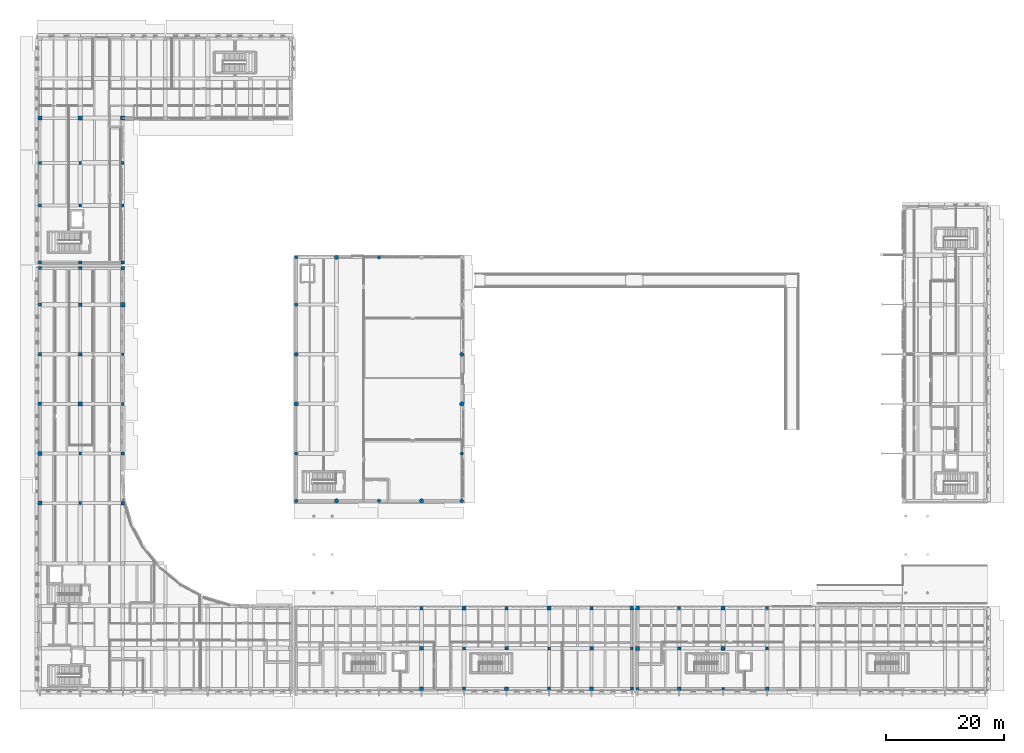
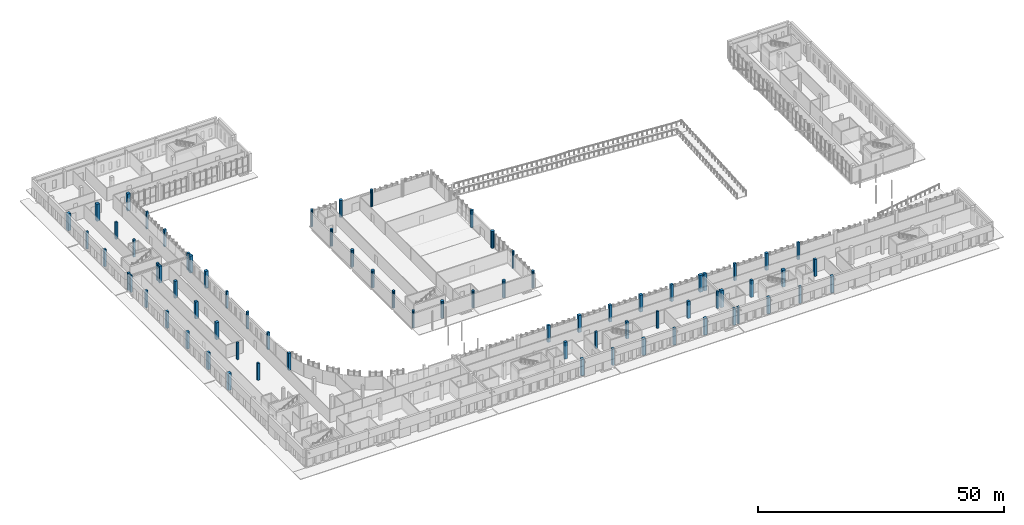
# One storey, part 3 of 77: 75 columns.
"""IFC4 building model written with IfcOpenShell, lengths in metres."""

from ifc_helpers import new_model, si_unit, direction, frame, origin, origin_2d, place, context, subcontext, project, spatial, rectangle, circle, extrude, material, material_profile, profile_set, type_object, element, save


model = new_model("IFC4")

# Units and contexts
model_context = context("Model", 3, precision=1e-05, world=origin(), true_north=direction((0.0, 1.0)))
body_context = subcontext(model_context, "Body", "Model", "MODEL_VIEW")
ifc_project = project(units=[si_unit("LENGTHUNIT", "METRE"), si_unit("AREAUNIT", "SQUARE_METRE"), si_unit("VOLUMEUNIT", "CUBIC_METRE"), si_unit("PLANEANGLEUNIT", "RADIAN"), si_unit("MASSUNIT", "GRAM", prefix="KILO")], contexts=[model_context])

# Site, building, storey
site_placement = place(None, origin())
site = spatial("IfcSite", under=ifc_project, at=site_placement, CompositionType="ELEMENT")
building_placement = place(site_placement, origin())
building = spatial("IfcBuilding", under=site, at=building_placement, Name="Vardoun Plaza Health Centre", CompositionType="ELEMENT")
storey_placement = place(building_placement, origin())
storey = spatial("IfcBuildingStorey", under=building, at=storey_placement, Name="L00", CompositionType="ELEMENT", Elevation=0.0)

# Columns
ifc_material_1 = material(Name="Concrete C40/50", Category="concrete")
ifc_material_profile_1 = material_profile(ifc_material_1, rectangle(XDim=0.449951171875, YDim=0.449951171875, at=origin_2d()), Name="RC-COL 450x450")
ifc_profile_set_1 = profile_set([ifc_material_profile_1], Name="Concrete C40/50")
column_type_1 = type_object("IfcColumnType", Name="C-07", PredefinedType="COLUMN", material=ifc_profile_set_1)
for number, where, z_axis, x_axis, name in (
    (1, (4.8798828125, 76.1201171875, 0.0), (0.0, 0.0, 1.0), (1.0, 0.0, 0.0), "V2 L00 Column C-V2-10"),
    (2, (11.699951171875, 44.699951171875, 0.0), (0.0, 0.0, 1.0), (1.0, 0.0, 0.0), "V2 L00 Column C-V2-16"),
    (3, (18.89990234375, 61.5, 0.0), (0.0, 0.0, 1.0), (1.0, 0.0, 0.0), "V2 L00 Column C-V2-28"),
):
    element("IfcColumn", number, at=place(storey_placement, frame(where, z_axis=z_axis, x_axis=x_axis)), inside=storey, type_object=column_type_1, Name=name, PredefinedType="COLUMN", context=body_context, shape_type="SweptSolid", body=[
        extrude(rectangle(XDim=0.449951171875, YDim=0.449951171875, at=origin_2d()), origin(), (0.0, 0.0, 1.0), 4.219970703125),
    ])
for number, where, z_axis, x_axis, name in (
    (4, (4.8798828125, 93.900146484375, 0.0), (0.0, 0.0, 1.0), (1.0, 0.0, 0.0), "V3 L00 Column C-V3-03"),
    (5, (11.699951171875, 93.900146484375, 0.0), (0.0, 0.0, 1.0), (1.0, 0.0, 0.0), "V3 L00 Column C-V3-09"),
    (6, (18.89990234375, 93.900146484375, 0.0), (0.0, 0.0, 1.0), (1.0, 0.0, 0.0), "V3 L00 Column C-V3-15"),
):
    element("IfcColumn", number, at=place(storey_placement, frame(where, z_axis=z_axis, x_axis=x_axis)), inside=storey, type_object=column_type_1, Name=name, PredefinedType="COLUMN", context=body_context, shape_type="SweptSolid", body=[
        extrude(rectangle(XDim=0.449951171875, YDim=0.449951171875, at=origin_2d()), origin(), (0.0, 0.0, 1.0), 4.235107421875),
    ])
for number, where, z_axis, x_axis, name in (
    (7, (76.679931640625, 11.699951171875, 0.0), (0.0, 0.0, 1.0), (1.0, 0.0, 0.0), "V4 L00 Column C-V4-14"),
    (8, (91.080078125, 11.699951171875, 0.0), (0.0, 0.0, 1.0), (1.0, 0.0, 0.0), "V4 L00 Column C-V4-20"),
    (9, (105.10009765625, 11.699951171875, 0.0), (0.0, 0.0, 1.0), (1.0, 0.0, 0.0), "V4 L00 Column C-V4-26"),
):
    element("IfcColumn", number, at=place(storey_placement, frame(where, z_axis=z_axis, x_axis=x_axis)), inside=storey, type_object=column_type_1, Name=name, PredefinedType="COLUMN", context=body_context, shape_type="SweptSolid", body=[
        extrude(rectangle(XDim=0.449951171875, YDim=0.449951171875, at=origin_2d()), origin(), (0.0, 0.0, 1.0), 4.18505859375),
    ])
for number, where, z_axis, x_axis, name in (
    (10, (106.0400390625, 4.8798828125, 0.0), (0.0, 0.0, 1.0), (1.0, 0.0, 0.0), "V5 L00 Column C-V5-01"),
    (11, (120.5400390625, 4.8798828125, 0.0), (0.0, 0.0, 1.0), (1.0, 0.0, 0.0), "V5 L00 Column C-V5-07"),
):
    element("IfcColumn", number, at=place(storey_placement, frame(where, z_axis=z_axis, x_axis=x_axis)), inside=storey, type_object=column_type_1, Name=name, PredefinedType="COLUMN", context=body_context, shape_type="SweptSolid", body=[
        extrude(rectangle(XDim=0.449951171875, YDim=0.449951171875, at=origin_2d()), origin(), (0.0, 0.0, 1.0), 4.205078125),
    ])
ifc_material_2 = material(Name="Concrete C40/50", Category="concrete")
ifc_material_profile_2 = material_profile(ifc_material_2, rectangle(XDim=0.5, YDim=0.5, at=origin_2d()), Name="RC-COL 500x500")
ifc_profile_set_2 = profile_set([ifc_material_profile_2], Name="Concrete C40/50")
column_type_2 = type_object("IfcColumnType", Name="C-06", PredefinedType="COLUMN", material=ifc_profile_set_2)
for number, where, z_axis, x_axis, name in (
    (12, (4.8798828125, 69.900146484375, 0.0), (0.0, 0.0, 1.0), (1.0, 0.0, 0.0), "V2 L00 Column C-V2-09"),
    (13, (11.699951171875, 36.300048828125, 0.0), (0.0, 0.0, 1.0), (1.0, 0.0, 0.0), "V2 L00 Column C-V2-15"),
    (14, (18.89990234375, 53.10009765625, 0.0), (0.0, 0.0, 1.0), (1.0, 0.0, 0.0), "V2 L00 Column C-V2-27"),
):
    element("IfcColumn", number, at=place(storey_placement, frame(where, z_axis=z_axis, x_axis=x_axis)), inside=storey, type_object=column_type_2, Name=name, PredefinedType="COLUMN", context=body_context, shape_type="SweptSolid", body=[
        extrude(rectangle(XDim=0.5, YDim=0.5, at=origin_2d()), origin(), (0.0, 0.0, 1.0), 4.219970703125),
    ])
for number, where, z_axis, x_axis, name in (
    (15, (4.8798828125, 86.699951171875, 0.0), (0.0, 0.0, 1.0), (1.0, 0.0, 0.0), "V3 L00 Column C-V3-02"),
    (16, (11.699951171875, 86.699951171875, 0.0), (0.0, 0.0, 1.0), (1.0, 0.0, 0.0), "V3 L00 Column C-V3-08"),
    (17, (18.89990234375, 86.699951171875, 0.0), (0.0, 0.0, 1.0), (1.0, 0.0, 0.0), "V3 L00 Column C-V3-14"),
):
    element("IfcColumn", number, at=place(storey_placement, frame(where, z_axis=z_axis, x_axis=x_axis)), inside=storey, type_object=column_type_2, Name=name, PredefinedType="COLUMN", context=body_context, shape_type="SweptSolid", body=[
        extrude(rectangle(XDim=0.5, YDim=0.5, at=origin_2d()), origin(), (0.0, 0.0, 1.0), 4.235107421875),
    ])
for number, where, z_axis, x_axis, name in (
    (18, (76.679931640625, 4.8798828125, 0.0), (0.0, 0.0, 1.0), (1.0, 0.0, 0.0), "V4 L00 Column C-V4-13"),
    (19, (91.080078125, 4.8798828125, 0.0), (0.0, 0.0, 1.0), (1.0, 0.0, 0.0), "V4 L00 Column C-V4-19"),
    (20, (105.10009765625, 4.8798828125, 0.0), (0.0, 0.0, 1.0), (1.0, 0.0, 0.0), "V4 L00 Column C-V4-25"),
):
    element("IfcColumn", number, at=place(storey_placement, frame(where, z_axis=z_axis, x_axis=x_axis)), inside=storey, type_object=column_type_2, Name=name, PredefinedType="COLUMN", context=body_context, shape_type="SweptSolid", body=[
        extrude(rectangle(XDim=0.5, YDim=0.5, at=origin_2d()), origin(), (0.0, 0.0, 1.0), 4.18505859375),
    ])
for number, where, z_axis, x_axis, name in (
    (21, (113.10009765625, 18.52001953125, 0.0), (0.0, 0.0, 1.0), (1.0, 0.0, 0.0), "V5 L00 Column C-V5-06"),
    (22, (127.97998046875, 18.52001953125, 0.0), (0.0, 0.0, 1.0), (1.0, 0.0, 0.0), "V5 L00 Column C-V5-12"),
):
    element("IfcColumn", number, at=place(storey_placement, frame(where, z_axis=z_axis, x_axis=x_axis)), inside=storey, type_object=column_type_2, Name=name, PredefinedType="COLUMN", context=body_context, shape_type="SweptSolid", body=[
        extrude(rectangle(XDim=0.5, YDim=0.5, at=origin_2d()), origin(), (0.0, 0.0, 1.0), 4.205078125),
    ])
ifc_material_3 = material(Name="Concrete C40/50", Category="concrete")
ifc_material_profile_3 = material_profile(ifc_material_3, rectangle(XDim=0.550048828125, YDim=0.550048828125, at=origin_2d()), Name="RC-COL 550x550")
ifc_profile_set_3 = profile_set([ifc_material_profile_3], Name="Concrete C40/50")
column_type_3 = type_object("IfcColumnType", Name="C-05", PredefinedType="COLUMN", material=ifc_profile_set_3)
for number, where, z_axis, x_axis, name in (
    (23, (4.8798828125, 61.5, 0.0), (0.0, 0.0, 1.0), (1.0, 0.0, 0.0), "V2 L00 Column C-V2-08"),
    (24, (11.699951171875, 76.1201171875, 0.0), (0.0, 0.0, 1.0), (1.0, 0.0, 0.0), "V2 L00 Column C-V2-20"),
    (25, (18.89990234375, 44.699951171875, 0.0), (0.0, 0.0, 1.0), (1.0, 0.0, 0.0), "V2 L00 Column C-V2-26"),
):
    element("IfcColumn", number, at=place(storey_placement, frame(where, z_axis=z_axis, x_axis=x_axis)), inside=storey, type_object=column_type_3, Name=name, PredefinedType="COLUMN", context=body_context, shape_type="SweptSolid", body=[
        extrude(rectangle(XDim=0.550048828125, YDim=0.550048828125, at=origin_2d()), origin(), (0.0, 0.0, 1.0), 4.219970703125),
    ])
for number, where, z_axis, x_axis, name in (
    (26, (4.8798828125, 77.06005859375, 0.0), (0.0, 0.0, 1.0), (1.0, 0.0, 0.0), "V3 L00 Column C-V3-01"),
    (27, (11.699951171875, 77.06005859375, 0.0), (0.0, 0.0, 1.0), (1.0, 0.0, 0.0), "V3 L00 Column C-V3-07"),
    (28, (18.89990234375, 77.06005859375, 0.0), (0.0, 0.0, 1.0), (1.0, 0.0, 0.0), "V3 L00 Column C-V3-13"),
):
    element("IfcColumn", number, at=place(storey_placement, frame(where, z_axis=z_axis, x_axis=x_axis)), inside=storey, type_object=column_type_3, Name=name, PredefinedType="COLUMN", context=body_context, shape_type="SweptSolid", body=[
        extrude(rectangle(XDim=0.550048828125, YDim=0.550048828125, at=origin_2d()), origin(), (0.0, 0.0, 1.0), 4.235107421875),
    ])
for number, where, z_axis, x_axis, name in (
    (29, (69.47998046875, 18.52001953125, 0.0), (0.0, 0.0, 1.0), (1.0, 0.0, 0.0), "V4 L00 Column C-V4-12"),
    (30, (83.8798828125, 18.52001953125, 0.0), (0.0, 0.0, 1.0), (1.0, 0.0, 0.0), "V4 L00 Column C-V4-18"),
    (31, (98.280029296875, 18.52001953125, 0.0), (0.0, 0.0, 1.0), (1.0, 0.0, 0.0), "V4 L00 Column C-V4-24"),
):
    element("IfcColumn", number, at=place(storey_placement, frame(where, z_axis=z_axis, x_axis=x_axis)), inside=storey, type_object=column_type_3, Name=name, PredefinedType="COLUMN", context=body_context, shape_type="SweptSolid", body=[
        extrude(rectangle(XDim=0.550048828125, YDim=0.550048828125, at=origin_2d()), origin(), (0.0, 0.0, 1.0), 4.18505859375),
    ])
for number, where, z_axis, x_axis, name in (
    (32, (113.10009765625, 11.699951171875, 0.0), (0.0, 0.0, 1.0), (1.0, 0.0, 0.0), "V5 L00 Column C-V5-05"),
    (33, (127.97998046875, 11.699951171875, 0.0), (0.0, 0.0, 1.0), (1.0, 0.0, 0.0), "V5 L00 Column C-V5-11"),
):
    element("IfcColumn", number, at=place(storey_placement, frame(where, z_axis=z_axis, x_axis=x_axis)), inside=storey, type_object=column_type_3, Name=name, PredefinedType="COLUMN", context=body_context, shape_type="SweptSolid", body=[
        extrude(rectangle(XDim=0.550048828125, YDim=0.550048828125, at=origin_2d()), origin(), (0.0, 0.0, 1.0), 4.205078125),
    ])
ifc_material_4 = material(Name="Concrete C40/50", Category="concrete")
ifc_material_profile_4 = material_profile(ifc_material_4, rectangle(XDim=0.60009765625, YDim=0.60009765625, at=origin_2d()), Name="RC-COL 600x600")
ifc_profile_set_4 = profile_set([ifc_material_profile_4], Name="Concrete C40/50")
column_type_4 = type_object("IfcColumnType", Name="C-04", PredefinedType="COLUMN", material=ifc_profile_set_4)
for number, where, z_axis, x_axis, name in (
    (34, (4.8798828125, 53.10009765625, 0.0), (0.0, 0.0, 1.0), (1.0, 0.0, 0.0), "V2 L00 Column C-V2-07"),
    (35, (11.699951171875, 69.900146484375, 0.0), (0.0, 0.0, 1.0), (1.0, 0.0, 0.0), "V2 L00 Column C-V2-19"),
    (36, (18.89990234375, 36.300048828125, 0.0), (0.0, 0.0, 1.0), (1.0, 0.0, 0.0), "V2 L00 Column C-V2-25"),
):
    element("IfcColumn", number, at=place(storey_placement, frame(where, z_axis=z_axis, x_axis=x_axis)), inside=storey, type_object=column_type_4, Name=name, PredefinedType="COLUMN", context=body_context, shape_type="SweptSolid", body=[
        extrude(rectangle(XDim=0.60009765625, YDim=0.60009765625, at=origin_2d()), origin(), (0.0, 0.0, 1.0), 4.219970703125),
    ])
for number, where, z_axis, x_axis, name in (
    (37, (69.47998046875, 11.699951171875, 0.0), (0.0, 0.0, 1.0), (1.0, 0.0, 0.0), "V4 L00 Column C-V4-11"),
    (38, (83.8798828125, 11.699951171875, 0.0), (0.0, 0.0, 1.0), (1.0, 0.0, 0.0), "V4 L00 Column C-V4-17"),
    (39, (98.280029296875, 11.699951171875, 0.0), (0.0, 0.0, 1.0), (1.0, 0.0, 0.0), "V4 L00 Column C-V4-23"),
):
    element("IfcColumn", number, at=place(storey_placement, frame(where, z_axis=z_axis, x_axis=x_axis)), inside=storey, type_object=column_type_4, Name=name, PredefinedType="COLUMN", context=body_context, shape_type="SweptSolid", body=[
        extrude(rectangle(XDim=0.60009765625, YDim=0.60009765625, at=origin_2d()), origin(), (0.0, 0.0, 1.0), 4.18505859375),
    ])
for number, where, z_axis, x_axis, name in (
    (40, (113.10009765625, 4.8798828125, 0.0), (0.0, 0.0, 1.0), (1.0, 0.0, 0.0), "V5 L00 Column C-V5-04"),
    (41, (127.97998046875, 4.8798828125, 0.0), (0.0, 0.0, 1.0), (1.0, 0.0, 0.0), "V5 L00 Column C-V5-10"),
):
    element("IfcColumn", number, at=place(storey_placement, frame(where, z_axis=z_axis, x_axis=x_axis)), inside=storey, type_object=column_type_4, Name=name, PredefinedType="COLUMN", context=body_context, shape_type="SweptSolid", body=[
        extrude(rectangle(XDim=0.60009765625, YDim=0.60009765625, at=origin_2d()), origin(), (0.0, 0.0, 1.0), 4.205078125),
    ])
ifc_material_5 = material(Name="Concrete C40/50", Category="concrete")
ifc_material_profile_5 = material_profile(ifc_material_5, rectangle(XDim=0.64990234375, YDim=0.64990234375, at=origin_2d()), Name="RC-COL 650x650")
ifc_profile_set_5 = profile_set([ifc_material_profile_5], Name="Concrete C40/50")
column_type_5 = type_object("IfcColumnType", Name="C-03", PredefinedType="COLUMN", material=ifc_profile_set_5)
for number, where, z_axis, x_axis, name in (
    (42, (4.8798828125, 44.699951171875, 0.0), (0.0, 0.0, 1.0), (1.0, 0.0, 0.0), "V2 L00 Column C-V2-06"),
    (43, (11.699951171875, 61.5, 0.0), (0.0, 0.0, 1.0), (1.0, 0.0, 0.0), "V2 L00 Column C-V2-18"),
    (44, (18.89990234375, 76.1201171875, 0.0), (0.0, 0.0, 1.0), (1.0, 0.0, 0.0), "V2 L00 Column C-V2-30"),
):
    element("IfcColumn", number, at=place(storey_placement, frame(where, z_axis=z_axis, x_axis=x_axis)), inside=storey, type_object=column_type_5, Name=name, PredefinedType="COLUMN", context=body_context, shape_type="SweptSolid", body=[
        extrude(rectangle(XDim=0.64990234375, YDim=0.64990234375, at=origin_2d()), origin(), (0.0, 0.0, 1.0), 4.219970703125),
    ])
for number, where, z_axis, x_axis, name in (
    (45, (69.47998046875, 4.8798828125, 0.0), (0.0, 0.0, 1.0), (1.0, 0.0, 0.0), "V4 L00 Column C-V4-10"),
    (46, (83.8798828125, 4.8798828125, 0.0), (0.0, 0.0, 1.0), (1.0, 0.0, 0.0), "V4 L00 Column C-V4-16"),
    (47, (98.280029296875, 4.8798828125, 0.0), (0.0, 0.0, 1.0), (1.0, 0.0, 0.0), "V4 L00 Column C-V4-22"),
):
    element("IfcColumn", number, at=place(storey_placement, frame(where, z_axis=z_axis, x_axis=x_axis)), inside=storey, type_object=column_type_5, Name=name, PredefinedType="COLUMN", context=body_context, shape_type="SweptSolid", body=[
        extrude(rectangle(XDim=0.64990234375, YDim=0.64990234375, at=origin_2d()), origin(), (0.0, 0.0, 1.0), 4.18505859375),
    ])
for number, where, z_axis, x_axis, name in (
    (48, (106.0400390625, 18.52001953125, 0.0), (0.0, 0.0, 1.0), (1.0, 0.0, 0.0), "V5 L00 Column C-V5-03"),
    (49, (120.5400390625, 18.52001953125, 0.0), (0.0, 0.0, 1.0), (1.0, 0.0, 0.0), "V5 L00 Column C-V5-09"),
):
    element("IfcColumn", number, at=place(storey_placement, frame(where, z_axis=z_axis, x_axis=x_axis)), inside=storey, type_object=column_type_5, Name=name, PredefinedType="COLUMN", context=body_context, shape_type="SweptSolid", body=[
        extrude(rectangle(XDim=0.64990234375, YDim=0.64990234375, at=origin_2d()), origin(), (0.0, 0.0, 1.0), 4.205078125),
    ])
ifc_material_6 = material(Name="Concrete C40/50", Category="concrete")
ifc_material_profile_6 = material_profile(ifc_material_6, rectangle(XDim=0.699951171875, YDim=0.699951171875, at=origin_2d()), Name="RC-COL 700x700")
ifc_profile_set_6 = profile_set([ifc_material_profile_6], Name="Concrete C40/50")
column_type_6 = type_object("IfcColumnType", Name="C-02", PredefinedType="COLUMN", material=ifc_profile_set_6)
for number, where, z_axis, x_axis, name in (
    (50, (4.8798828125, 36.300048828125, 0.0), (0.0, 0.0, 1.0), (1.0, 0.0, 0.0), "V2 L00 Column C-V2-05"),
    (51, (11.699951171875, 53.10009765625, 0.0), (0.0, 0.0, 1.0), (1.0, 0.0, 0.0), "V2 L00 Column C-V2-17"),
    (52, (18.89990234375, 69.900146484375, 0.0), (0.0, 0.0, 1.0), (1.0, 0.0, 0.0), "V2 L00 Column C-V2-29"),
):
    element("IfcColumn", number, at=place(storey_placement, frame(where, z_axis=z_axis, x_axis=x_axis)), inside=storey, type_object=column_type_6, Name=name, PredefinedType="COLUMN", context=body_context, shape_type="SweptSolid", body=[
        extrude(rectangle(XDim=0.699951171875, YDim=0.699951171875, at=origin_2d()), origin(), (0.0, 0.0, 1.0), 4.219970703125),
    ])
for number, where, z_axis, x_axis, name in (
    (53, (4.8798828125, 101.47998046875, 0.0), (0.0, 0.0, 1.0), (1.0, 0.0, 0.0), "V3 L00 Column C-V3-04"),
    (54, (11.699951171875, 101.47998046875, 0.0), (0.0, 0.0, 1.0), (1.0, 0.0, 0.0), "V3 L00 Column C-V3-10"),
    (55, (18.89990234375, 101.47998046875, 0.0), (0.0, 0.0, 1.0), (1.0, 0.0, 0.0), "V3 L00 Column C-V3-16"),
):
    element("IfcColumn", number, at=place(storey_placement, frame(where, z_axis=z_axis, x_axis=x_axis)), inside=storey, type_object=column_type_6, Name=name, PredefinedType="COLUMN", context=body_context, shape_type="SweptSolid", body=[
        extrude(rectangle(XDim=0.699951171875, YDim=0.699951171875, at=origin_2d()), origin(), (0.0, 0.0, 1.0), 4.235107421875),
    ])
for number, where, z_axis, x_axis, name in (
    (56, (76.679931640625, 18.52001953125, 0.0), (0.0, 0.0, 1.0), (1.0, 0.0, 0.0), "V4 L00 Column C-V4-15"),
    (57, (91.080078125, 18.52001953125, 0.0), (0.0, 0.0, 1.0), (1.0, 0.0, 0.0), "V4 L00 Column C-V4-21"),
    (58, (105.10009765625, 18.52001953125, 0.0), (0.0, 0.0, 1.0), (1.0, 0.0, 0.0), "V4 L00 Column C-V4-27"),
):
    element("IfcColumn", number, at=place(storey_placement, frame(where, z_axis=z_axis, x_axis=x_axis)), inside=storey, type_object=column_type_6, Name=name, PredefinedType="COLUMN", context=body_context, shape_type="SweptSolid", body=[
        extrude(rectangle(XDim=0.699951171875, YDim=0.699951171875, at=origin_2d()), origin(), (0.0, 0.0, 1.0), 4.18505859375),
    ])
for number, where, z_axis, x_axis, name in (
    (59, (106.0400390625, 11.699951171875, 0.0), (0.0, 0.0, 1.0), (1.0, 0.0, 0.0), "V5 L00 Column C-V5-02"),
    (60, (120.5400390625, 11.699951171875, 0.0), (0.0, 0.0, 1.0), (1.0, 0.0, 0.0), "V5 L00 Column C-V5-08"),
):
    element("IfcColumn", number, at=place(storey_placement, frame(where, z_axis=z_axis, x_axis=x_axis)), inside=storey, type_object=column_type_6, Name=name, PredefinedType="COLUMN", context=body_context, shape_type="SweptSolid", body=[
        extrude(rectangle(XDim=0.699951171875, YDim=0.699951171875, at=origin_2d()), origin(), (0.0, 0.0, 1.0), 4.205078125),
    ])
ifc_material_7 = material(Name="Pale Limestone Concrete C40/50", Category="masonry")
ifc_material_profile_7 = material_profile(ifc_material_7, circle(Radius=0.27490234375, at=origin_2d()), Name="RC-COL D550")
ifc_profile_set_7 = profile_set([ifc_material_profile_7], Name="Pale Limestone Concrete C40/50")
column_type_7 = type_object("IfcColumnType", Name="C-16", PredefinedType="COLUMN", material=ifc_profile_set_7)
for number, where, z_axis, x_axis, name in (
    (61, (48.260009765625, 44.699951171875, 0.0), (0.0, 0.0, 1.0), (1.0, 0.0, 0.0), "V1 L00 Column C-V1-02"),
    (62, (48.260009765625, 77.919921875, 0.0), (0.0, 0.0, 1.0), (1.0, 0.0, 0.0), "V1 L00 Column C-V1-06"),
    (63, (62.280029296875, 77.919921875, 0.0), (0.0, 0.0, 1.0), (1.0, 0.0, 0.0), "V1 L00 Column C-V1-10"),
    (64, (76.300048828125, 44.699951171875, 0.0), (0.0, 0.0, 1.0), (1.0, 0.0, 0.0), "V1 L00 Column C-V1-14"),
):
    element("IfcColumn", number, at=place(storey_placement, frame(where, z_axis=z_axis, x_axis=x_axis)), inside=storey, type_object=column_type_7, Name=name, PredefinedType="COLUMN", context=body_context, shape_type="SweptSolid", body=[
        extrude(circle(Radius=0.27490234375, at=origin_2d()), origin(), (0.0, 0.0, 1.0), 4.219970703125),
    ])
ifc_material_8 = material(Name="Pale Limestone Concrete C40/50", Category="masonry")
ifc_material_profile_8 = material_profile(ifc_material_8, circle(Radius=0.300048828125, at=origin_2d()), Name="RC-COL D600")
ifc_profile_set_8 = profile_set([ifc_material_profile_8], Name="Pale Limestone Concrete C40/50")
column_type_8 = type_object("IfcColumnType", Name="C-15", PredefinedType="COLUMN", material=ifc_profile_set_8)
for number, where, z_axis, x_axis, name in (
    (65, (48.260009765625, 36.679931640625, 0.0), (0.0, 0.0, 1.0), (1.0, 0.0, 0.0), "V1 L00 Column C-V1-01"),
    (66, (48.260009765625, 69.900146484375, 0.0), (0.0, 0.0, 1.0), (1.0, 0.0, 0.0), "V1 L00 Column C-V1-05"),
    (67, (62.280029296875, 36.679931640625, 0.0), (0.0, 0.0, 1.0), (1.0, 0.0, 0.0), "V1 L00 Column C-V1-09"),
    (68, (76.300048828125, 36.679931640625, 0.0), (0.0, 0.0, 1.0), (1.0, 0.0, 0.0), "V1 L00 Column C-V1-13"),
):
    element("IfcColumn", number, at=place(storey_placement, frame(where, z_axis=z_axis, x_axis=x_axis)), inside=storey, type_object=column_type_8, Name=name, PredefinedType="COLUMN", context=body_context, shape_type="SweptSolid", body=[
        extrude(circle(Radius=0.300048828125, at=origin_2d()), origin(), (0.0, 0.0, 1.0), 4.219970703125),
    ])
ifc_material_9 = material(Name="Pale Limestone Concrete C40/50", Category="masonry")
ifc_material_profile_9 = material_profile(ifc_material_9, circle(Radius=0.35009765625, at=origin_2d()), Name="RC-COL D700")
ifc_profile_set_9 = profile_set([ifc_material_profile_9], Name="Pale Limestone Concrete C40/50")
column_type_9 = type_object("IfcColumnType", Name="C-14", PredefinedType="COLUMN", material=ifc_profile_set_9)
for number, where, z_axis, x_axis, name in (
    (69, (48.260009765625, 61.5, 0.0), (0.0, 0.0, 1.0), (1.0, 0.0, 0.0), "V1 L00 Column C-V1-04"),
    (70, (55.080078125, 77.919921875, 0.0), (0.0, 0.0, 1.0), (1.0, 0.0, 0.0), "V1 L00 Column C-V1-08"),
    (71, (76.300048828125, 61.5, 0.0), (0.0, 0.0, 1.0), (1.0, 0.0, 0.0), "V1 L00 Column C-V1-16"),
):
    element("IfcColumn", number, at=place(storey_placement, frame(where, z_axis=z_axis, x_axis=x_axis)), inside=storey, type_object=column_type_9, Name=name, PredefinedType="COLUMN", context=body_context, shape_type="SweptSolid", body=[
        extrude(circle(Radius=0.35009765625, at=origin_2d()), origin(), (0.0, 0.0, 1.0), 4.219970703125),
    ])
ifc_material_10 = material(Name="Pale Limestone Concrete C40/50", Category="masonry")
ifc_material_profile_10 = material_profile(ifc_material_10, circle(Radius=0.375, at=origin_2d()), Name="RC-COL D750")
ifc_profile_set_10 = profile_set([ifc_material_profile_10], Name="Pale Limestone Concrete C40/50")
column_type_10 = type_object("IfcColumnType", Name="C-13", PredefinedType="COLUMN", material=ifc_profile_set_10)
for number, where, z_axis, x_axis, name in (
    (72, (48.260009765625, 53.10009765625, 0.0), (0.0, 0.0, 1.0), (1.0, 0.0, 0.0), "V1 L00 Column C-V1-03"),
    (73, (55.080078125, 36.679931640625, 0.0), (0.0, 0.0, 1.0), (1.0, 0.0, 0.0), "V1 L00 Column C-V1-07"),
    (74, (69.47998046875, 36.679931640625, 0.0), (0.0, 0.0, 1.0), (1.0, 0.0, 0.0), "V1 L00 Column C-V1-11"),
    (75, (76.300048828125, 53.10009765625, 0.0), (0.0, 0.0, 1.0), (1.0, 0.0, 0.0), "V1 L00 Column C-V1-15"),
):
    element("IfcColumn", number, at=place(storey_placement, frame(where, z_axis=z_axis, x_axis=x_axis)), inside=storey, type_object=column_type_10, Name=name, PredefinedType="COLUMN", context=body_context, shape_type="SweptSolid", body=[
        extrude(circle(Radius=0.375, at=origin_2d()), origin(), (0.0, 0.0, 1.0), 4.219970703125),
    ])

save(model, "model.ifc")
